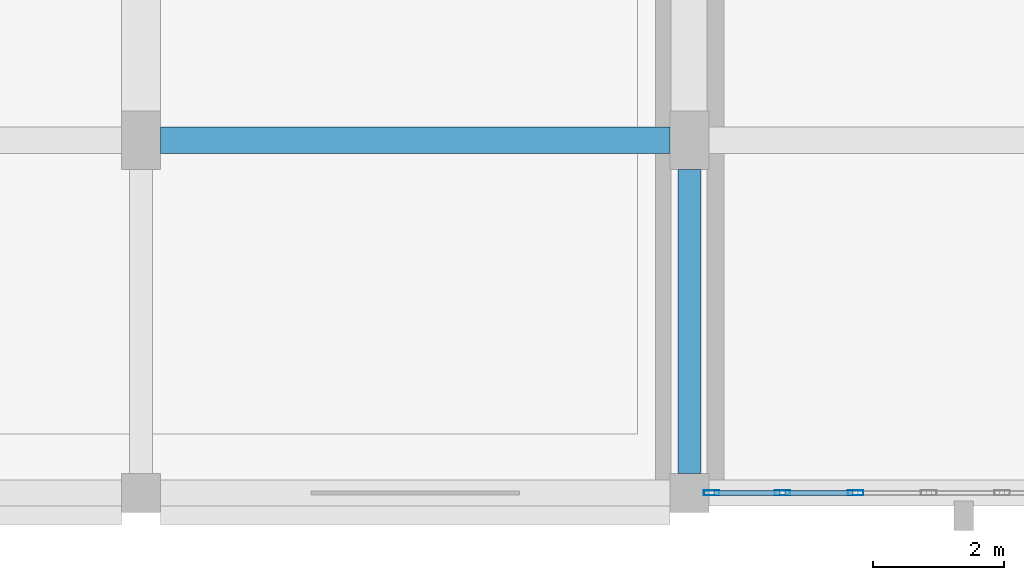
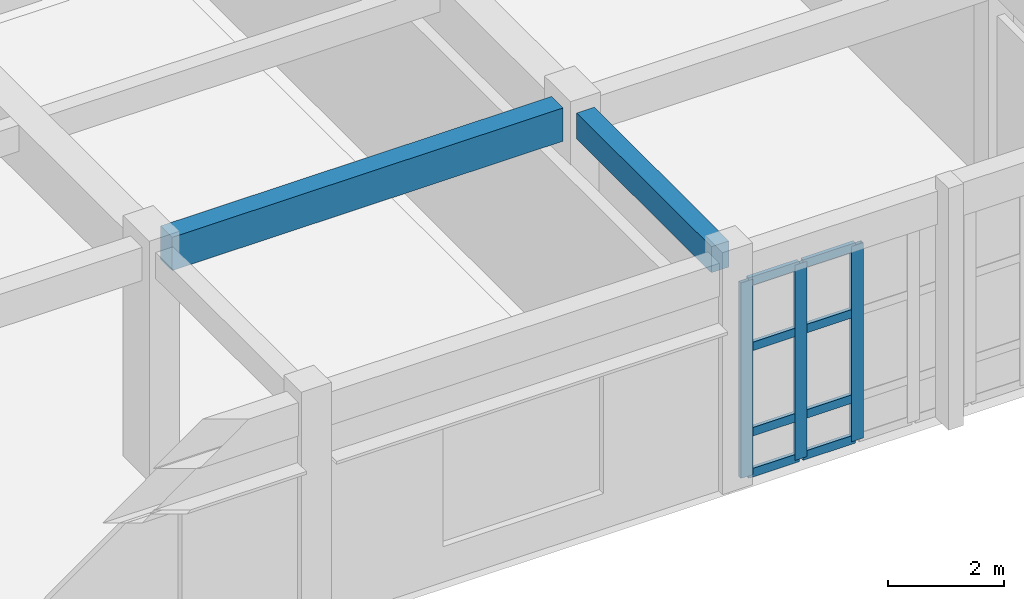
# One storey, part 25 of 93: 11 members, 2 beams, 1 element without a shape of its own.
"""IFC4 building model written with IfcOpenShell, lengths in metres."""

import ifcopenshell
import ifcopenshell.guid

model = None  # the IFC model being written
_history = None  # IfcOwnerHistory: only IFC2X3 demands one
_inside = {}  # id of a spatial element -> (the spatial element, [elements in it])
_under = {}  # id of a project, library or spatial element -> (it, [spatial elements below it])
_declared = {}  # id of a project -> (the project, [libraries it declares])
_typed = {}  # id of a type object -> (the type object, [elements of that type])
_made_of = {}  # id of a material, layer set ... -> (it, [elements and type objects made of it])


def new_model(schema):
    """Start an empty IFC model of exactly this schema.

    Asked for "IFC4X3", IfcOpenShell would pick the latest addendum, in which some entities
    have other attributes; the version numbers below select the first issue.
    IFC2X3 requires an IfcOwnerHistory on every rooted entity: one is made here for all.
    """
    global model, _history
    if schema == "IFC4X3":
        model = ifcopenshell.file(schema_version=(4, 3, 0, 0))
    else:
        model = ifcopenshell.file(schema=schema)
    _inside.clear()
    _under.clear()
    _declared.clear()
    _typed.clear()
    _made_of.clear()
    _history = None
    if model.schema == "IFC2X3":
        org = make("IfcOrganization", Name="unknown")
        user = make(
            "IfcPersonAndOrganization",
            ThePerson=make("IfcPerson", FamilyName="unknown"),
            TheOrganization=org,
        )
        app = make(
            "IfcApplication",
            ApplicationDeveloper=org,
            Version="unknown",
            ApplicationFullName="unknown",
            ApplicationIdentifier="unknown",
        )
        _history = make(
            "IfcOwnerHistory",
            OwningUser=user,
            OwningApplication=app,
            ChangeAction="ADDED",
            CreationDate=0,
        )
    return model


def make(cls, **values):
    """One entity of the class cls with the attributes given. An attribute that is None is left unset."""
    return model.create_entity(
        cls, **{name: value for name, value in values.items() if value is not None}
    )


def rooted(cls, **values):
    """An entity with a GlobalId (a new one), such as an element, a storey or a relation."""
    return make(cls, GlobalId=ifcopenshell.guid.new(), OwnerHistory=_history, **values)


def si_unit(unit_type, name, prefix=None):
    """IfcSIUnit, for example si_unit("LENGTHUNIT", "METRE", prefix="MILLI")."""
    return make("IfcSIUnit", UnitType=unit_type, Prefix=prefix, Name=name)


def assignment(units):
    """IfcUnitAssignment: the units of a project."""
    return None if units is None else make("IfcUnitAssignment", Units=units)


def point(xyz):
    """IfcCartesianPoint."""
    return None if xyz is None else make("IfcCartesianPoint", Coordinates=xyz)


def direction(xyz):
    """IfcDirection."""
    return None if xyz is None else make("IfcDirection", DirectionRatios=xyz)


def frame(location, z_axis=None, x_axis=None):
    """IfcAxis2Placement3D, a coordinate frame: its origin and axes. An axis left out is left unset."""
    return make(
        "IfcAxis2Placement3D",
        Location=point(location),
        Axis=direction(z_axis),
        RefDirection=direction(x_axis),
    )


def frame_2d(location, x_axis=None):
    """IfcAxis2Placement2D, a coordinate frame in the plane: its origin and x axis."""
    return make(
        "IfcAxis2Placement2D", Location=point(location), RefDirection=direction(x_axis)
    )


def origin():
    """The frame at (0, 0, 0) with its axes left unset."""
    return frame((0.0, 0.0, 0.0))


def origin_2d():
    """The frame at (0, 0) in the plane with its x axis left unset."""
    return frame_2d((0.0, 0.0))


def place(relative_to, where):
    """IfcLocalPlacement: puts the frame where relative to a parent placement (None: the world)."""
    return make(
        "IfcLocalPlacement", PlacementRelTo=relative_to, RelativePlacement=where
    )


def context(
    kind, dimensions, precision=None, world=None, true_north=None, identifier=None
):
    """IfcGeometricRepresentationContext, for example the 3D "Model" context."""
    return make(
        "IfcGeometricRepresentationContext",
        ContextIdentifier=identifier,
        ContextType=kind,
        CoordinateSpaceDimension=dimensions,
        Precision=precision,
        WorldCoordinateSystem=world,
        TrueNorth=true_north,
    )


def subcontext(parent, identifier, kind, view, scale=None):
    """IfcGeometricRepresentationSubContext, for example "Body" below "Model"."""
    return make(
        "IfcGeometricRepresentationSubContext",
        ContextIdentifier=identifier,
        ContextType=kind,
        ParentContext=parent,
        TargetScale=scale,
        TargetView=view,
    )


def project(units=None, contexts=None):
    """IfcProject with its units and contexts."""
    return rooted(
        "IfcProject",
        Name="project",
        RepresentationContexts=contexts,
        UnitsInContext=assignment(units),
    )


def spatial(cls, under=None, at=None, **own):
    """A site, building, storey or space (cls), placed at a placement, below another one or the project."""
    s = rooted(cls, ObjectPlacement=at, **own)
    if under is not None:
        _under.setdefault(under.id(), (under, []))[1].append(s)
    return s


def profile(cls, at=None, kind="AREA", **sizes):
    """A parametric profile (cls). Its sizes go by their IFC names, for example OverallWidth=200.0."""
    return make(cls, ProfileType=kind, Position=at, **sizes)


def rectangle(**sizes):
    """IfcRectangleProfileDef."""
    return profile("IfcRectangleProfileDef", **sizes)


def hollow_rectangle(**sizes):
    """IfcRectangleHollowProfileDef."""
    return profile("IfcRectangleHollowProfileDef", **sizes)


def extrude(swept, where, along, depth):
    """IfcExtrudedAreaSolid: the profile swept, set in the frame where, extruded along a direction by depth."""
    return make(
        "IfcExtrudedAreaSolid",
        SweptArea=swept,
        Position=where,
        ExtrudedDirection=direction(along),
        Depth=depth,
    )


def shape(context_of_items, identifier, shape_type, items):
    """IfcShapeRepresentation: the items that make up one representation, for example the "Body"."""
    return make(
        "IfcShapeRepresentation",
        ContextOfItems=context_of_items,
        RepresentationIdentifier=identifier,
        RepresentationType=shape_type,
        Items=items,
    )


def material(Name=None, Category=None):
    """IfcMaterial."""
    return make("IfcMaterial", Name=Name, Category=Category)


def layer(
    of_material, thickness, ventilated=None, Name=None, Category=None, Priority=None
):
    """IfcMaterialLayer: one layer of a wall or slab, of a material (None: an air gap)."""
    return make(
        "IfcMaterialLayer",
        Material=of_material,
        LayerThickness=thickness,
        IsVentilated=ventilated,
        Name=Name,
        Category=Category,
        Priority=Priority,
    )


def layer_set(layers, Name=None):
    """IfcMaterialLayerSet."""
    return make("IfcMaterialLayerSet", MaterialLayers=layers, LayerSetName=Name)


def material_profile(
    of_material, cross_section, Name=None, Category=None, Priority=None
):
    """IfcMaterialProfile: a cross section and its material."""
    return make(
        "IfcMaterialProfile",
        Name=Name,
        Material=of_material,
        Profile=cross_section,
        Priority=Priority,
        Category=Category,
    )


def profile_set(profiles, Name=None, composite=None):
    """IfcMaterialProfileSet."""
    return make(
        "IfcMaterialProfileSet",
        Name=Name,
        MaterialProfiles=profiles,
        CompositeProfile=composite,
    )


def made_of(thing, what):
    """Note that an element or type object is made of a material, layer set ...; save() writes the relation."""
    if what is not None:
        _made_of.setdefault(what.id(), (what, []))[1].append(thing)
    return thing


def type_object(cls, material=None, **own):
    """A type object (cls), such as IfcWallType, which elements share."""
    return made_of(rooted(cls, **own), material)


def element(
    cls,
    number,
    at=None,
    inside=None,
    cuts=None,
    type_object=None,
    material=None,
    context=None,
    identifier="Body",
    shape_type=None,
    held_by="IfcProductDefinitionShape",
    body=None,
    shapes=None,
    **own,
):
    """One element of the class cls, such as IfcWall. Its Tag is "e" and its number.

    at: its placement. inside: the storey or other place that contains it. cuts: it is an
    opening in that element (IfcRelVoidsElement). A single representation is given by context,
    identifier, shape_type and body (its items); several are given by shapes. held_by: the class
    of the entity that holds the representations. save() writes the other relations.
    """
    e = rooted(cls, Tag="e%d" % number, ObjectPlacement=at, **own)
    if body is not None:
        shapes = [shape(context, identifier, shape_type, body)]
    if shapes is not None:
        e.Representation = make(held_by, Representations=shapes)
    if inside is not None:
        _inside.setdefault(inside.id(), (inside, []))[1].append(e)
    if cuts is not None:
        rooted(
            "IfcRelVoidsElement", RelatingBuildingElement=cuts, RelatedOpeningElement=e
        )
    if type_object is not None:
        _typed.setdefault(type_object.id(), (type_object, []))[1].append(e)
    return made_of(e, material)


def aggregate(whole, parts):
    """IfcRelAggregates: a whole, such as a stair, and the parts it consists of."""
    return rooted("IfcRelAggregates", RelatingObject=whole, RelatedObjects=parts)


def save(model, path):
    """Write the relations noted so far, then the file.

    IfcRelAggregates (storeys below a building ...), IfcRelContainedInSpatialStructure (elements
    in a storey), IfcRelDefinesByType, IfcRelAssociatesMaterial and IfcRelDeclares: one each for
    every whole, place, type object, material and project.
    """
    for whole, parts in _under.values():
        aggregate(whole, parts)
    for where, things in _inside.values():
        rooted(
            "IfcRelContainedInSpatialStructure",
            RelatedElements=things,
            RelatingStructure=where,
        )
    for kind, things in _typed.values():
        rooted("IfcRelDefinesByType", RelatedObjects=things, RelatingType=kind)
    for what, things in _made_of.values():
        rooted("IfcRelAssociatesMaterial", RelatedObjects=things, RelatingMaterial=what)
    for by, libraries in _declared.values():
        rooted("IfcRelDeclares", RelatingContext=by, RelatedDefinitions=libraries)
    model.write(path)


model = new_model("IFC4")

# Units and contexts
model_context = context("Model", 3, precision=1e-05, world=origin(), true_north=direction((0.0, 1.0)))
body_context = subcontext(model_context, "Body", "Model", "MODEL_VIEW")
ifc_project = project(units=[si_unit("LENGTHUNIT", "METRE"), si_unit("AREAUNIT", "SQUARE_METRE"), si_unit("VOLUMEUNIT", "CUBIC_METRE"), si_unit("PLANEANGLEUNIT", "RADIAN"), si_unit("MASSUNIT", "GRAM", prefix="KILO")], contexts=[model_context])

# Site, building, storey
site_placement = place(None, origin())
site = spatial("IfcSite", under=ifc_project, at=site_placement, CompositionType="ELEMENT")
building_placement = place(site_placement, origin())
building = spatial("IfcBuilding", under=site, at=building_placement, Name="Krzemoval Escarpment Law Courts", CompositionType="ELEMENT")
storey_placement = place(building_placement, frame((0.0, 0.0, 10.199951171875)))
storey = spatial("IfcBuildingStorey", under=building, at=storey_placement, Name="L02", CompositionType="ELEMENT", Elevation=10.199951171875)

# Beams
ifc_material_1 = material(Name="Concrete C40/50", Category="concrete")
ifc_material_profile_1 = material_profile(ifc_material_1, rectangle(XDim=0.35009765625, YDim=0.550048828125, at=origin_2d()), Name="RCB 350x550")
ifc_profile_set_1 = profile_set([ifc_material_profile_1], Name="Concrete C40/50")
beam_type_1 = type_object("IfcBeamType", Name="BM-RC-350x550", PredefinedType="BEAM", material=ifc_profile_set_1)
beam_1_placement = place(storey_placement, frame((109.199951171875, 0.300048828125, 4.545166015625), z_axis=(0.0, 1.0, 0.0), x_axis=(-1.0, 0.0, 0.0)))
element("IfcBeam", 1, at=beam_1_placement, inside=storey, type_object=beam_type_1, Name="Beam FG-L02-1948", PredefinedType="BEAM", context=body_context, shape_type="SweptSolid", body=[
    extrude(rectangle(XDim=0.35009765625, YDim=0.550048828125, at=origin_2d()), origin(), (0.0, 0.0, 1.0), 4.64990234375),
])
ifc_material_2 = material(Name="Concrete C40/50", Category="concrete")
ifc_material_profile_2 = material_profile(ifc_material_2, rectangle(XDim=0.39990234375, YDim=0.699951171875, at=origin_2d()), Name="RCB 400x700")
ifc_profile_set_2 = profile_set([ifc_material_profile_2], Name="Concrete C40/50")
beam_type_2 = type_object("IfcBeamType", Name="BM-RC-400x700", PredefinedType="BEAM", material=ifc_profile_set_2)
beam_2_placement = place(storey_placement, frame((101.10009765625, 5.39990234375, 4.469970703125), z_axis=(1.0, 0.0, 0.0), x_axis=(0.0, 1.0, 0.0)))
element("IfcBeam", 2, at=beam_2_placement, inside=storey, type_object=beam_type_2, Name="Beam FG-L02-1732", PredefinedType="BEAM", context=body_context, shape_type="SweptSolid", body=[
    extrude(rectangle(XDim=0.39990234375, YDim=0.699951171875, at=origin_2d()), origin(), (0.0, 0.0, 1.0), 7.7998046875),
])

# Curtain wall, members
ifc_material_3 = material(Name="Aluminium 6063-T6", Category="aluminium")
ifc_layer = layer(ifc_material_3, 0.239990234375)
ifc_layer_set = layer_set([ifc_layer], Name="Aluminium 6063-T6")
curtain_wall_type = type_object("IfcCurtainWallType", Name="CW-LIBR-4800", PredefinedType="USERDEFINED", material=ifc_layer_set)
curtain_wall_placement = place(storey_placement, origin())
curtain_wall = element("IfcCurtainWall", 3, at=curtain_wall_placement, inside=storey, type_object=curtain_wall_type, Name="Unitised Curtain Wall FCW-L02-085", ObjectType="UNITISED_CURTAIN_WALL", PredefinedType="USERDEFINED")
ifc_material_4 = material(Name="Aluminium 6063-T6", Category="aluminium")
ifc_material_profile_3 = material_profile(ifc_material_4, hollow_rectangle(XDim=0.074951171875, YDim=0.239990234375, WallThickness=0.0048828125, at=origin_2d()), Name="ALU M75x240")
ifc_profile_set_3 = profile_set([ifc_material_profile_3], Name="Aluminium 6063-T6")
member_type_1 = type_object("IfcMemberType", Name="CWM-75x240", PredefinedType="MULLION", material=ifc_profile_set_3)
member_1_placement = place(storey_placement, frame((111.742919921875, 0.0, 0.0), z_axis=(0.0, 0.0, 1.0), x_axis=(0.0, -1.0, 0.0)))
member_1 = element("IfcMember", 4, at=member_1_placement, type_object=member_type_1, Name="FCW-L02-085 mullion 6", PredefinedType="MULLION", context=body_context, shape_type="SweptSolid", body=[
    extrude(hollow_rectangle(XDim=0.074951171875, YDim=0.239990234375, WallThickness=0.0048828125, at=origin_2d()), origin(), (0.0, 0.0, 1.0), 4.1201171875),
])
member_2_placement = place(storey_placement, frame((110.621337890625, 0.0, 0.0), z_axis=(0.0, 0.0, 1.0), x_axis=(0.0, -1.0, 0.0)))
member_2 = element("IfcMember", 5, at=member_2_placement, type_object=member_type_1, Name="FCW-L02-085 mullion 7", PredefinedType="MULLION", context=body_context, shape_type="SweptSolid", body=[
    extrude(hollow_rectangle(XDim=0.074951171875, YDim=0.239990234375, WallThickness=0.0048828125, at=origin_2d()), origin(), (0.0, 0.0, 1.0), 4.1201171875),
])
member_3_placement = place(storey_placement, frame((109.53759765625, 0.0, 0.0), z_axis=(0.0, 0.0, 1.0), x_axis=(0.0, -1.0, 0.0)))
member_3 = element("IfcMember", 6, at=member_3_placement, type_object=member_type_1, Name="FCW-L02-085 mullion 8", PredefinedType="MULLION", context=body_context, shape_type="SweptSolid", body=[
    extrude(hollow_rectangle(XDim=0.074951171875, YDim=0.239990234375, WallThickness=0.0048828125, at=origin_2d()), origin(), (0.0, 0.0, 1.0), 4.1201171875),
])
ifc_material_5 = material(Name="Aluminium 6063-T6", Category="aluminium")
ifc_material_profile_4 = material_profile(ifc_material_5, hollow_rectangle(XDim=0.074951171875, YDim=0.179931640625, WallThickness=0.0048828125, at=origin_2d()), Name="ALU T75x180")
ifc_profile_set_4 = profile_set([ifc_material_profile_4], Name="Aluminium 6063-T6")
member_type_2 = type_object("IfcMemberType", Name="CWT-75x180", PredefinedType="USERDEFINED", material=ifc_profile_set_4)
member_4_placement = place(storey_placement, frame((111.705322265625, 0.0, 0.03759765625), z_axis=(-1.0, 0.0, 0.0), x_axis=(0.0, -1.0, 0.0)))
member_4 = element("IfcMember", 7, at=member_4_placement, type_object=member_type_2, Name="FCW-L02-085 transom 6.1", ObjectType="TRANSOM", PredefinedType="USERDEFINED", context=body_context, shape_type="SweptSolid", body=[
    extrude(hollow_rectangle(XDim=0.074951171875, YDim=0.179931640625, WallThickness=0.0048828125, at=origin_2d()), origin(), (0.0, 0.0, 1.0), 1.04638671875),
])
member_5_placement = place(storey_placement, frame((111.705322265625, 0.0, 0.900146484375), z_axis=(-1.0, 0.0, 0.0), x_axis=(0.0, -1.0, 0.0)))
member_5 = element("IfcMember", 8, at=member_5_placement, type_object=member_type_2, Name="FCW-L02-085 transom 6.2", ObjectType="TRANSOM", PredefinedType="USERDEFINED", context=body_context, shape_type="SweptSolid", body=[
    extrude(hollow_rectangle(XDim=0.074951171875, YDim=0.179931640625, WallThickness=0.0048828125, at=origin_2d()), origin(), (0.0, 0.0, 1.0), 1.04638671875),
])
member_6_placement = place(storey_placement, frame((111.705322265625, 0.0, 2.699951171875), z_axis=(-1.0, 0.0, 0.0), x_axis=(0.0, -1.0, 0.0)))
member_6 = element("IfcMember", 9, at=member_6_placement, type_object=member_type_2, Name="FCW-L02-085 transom 6.3", ObjectType="TRANSOM", PredefinedType="USERDEFINED", context=body_context, shape_type="SweptSolid", body=[
    extrude(hollow_rectangle(XDim=0.074951171875, YDim=0.179931640625, WallThickness=0.0048828125, at=origin_2d()), origin(), (0.0, 0.0, 1.0), 1.04638671875),
])
member_7_placement = place(storey_placement, frame((111.705322265625, 0.0, 4.08251953125), z_axis=(-1.0, 0.0, 0.0), x_axis=(0.0, -1.0, 0.0)))
member_7 = element("IfcMember", 10, at=member_7_placement, type_object=member_type_2, Name="FCW-L02-085 transom 6.4", ObjectType="TRANSOM", PredefinedType="USERDEFINED", context=body_context, shape_type="SweptSolid", body=[
    extrude(hollow_rectangle(XDim=0.074951171875, YDim=0.179931640625, WallThickness=0.0048828125, at=origin_2d()), origin(), (0.0, 0.0, 1.0), 1.04638671875),
])
member_8_placement = place(storey_placement, frame((110.583984375, 0.0, 0.03759765625), z_axis=(-1.0, 0.0, 0.0), x_axis=(0.0, -1.0, 0.0)))
member_8 = element("IfcMember", 11, at=member_8_placement, type_object=member_type_2, Name="FCW-L02-085 transom 7.1", ObjectType="TRANSOM", PredefinedType="USERDEFINED", context=body_context, shape_type="SweptSolid", body=[
    extrude(hollow_rectangle(XDim=0.074951171875, YDim=0.179931640625, WallThickness=0.0048828125, at=origin_2d()), origin(), (0.0, 0.0, 1.0), 1.009033203125),
])
member_9_placement = place(storey_placement, frame((110.583984375, 0.0, 0.900146484375), z_axis=(-1.0, 0.0, 0.0), x_axis=(0.0, -1.0, 0.0)))
member_9 = element("IfcMember", 12, at=member_9_placement, type_object=member_type_2, Name="FCW-L02-085 transom 7.2", ObjectType="TRANSOM", PredefinedType="USERDEFINED", context=body_context, shape_type="SweptSolid", body=[
    extrude(hollow_rectangle(XDim=0.074951171875, YDim=0.179931640625, WallThickness=0.0048828125, at=origin_2d()), origin(), (0.0, 0.0, 1.0), 1.009033203125),
])
member_10_placement = place(storey_placement, frame((110.583984375, 0.0, 2.699951171875), z_axis=(-1.0, 0.0, 0.0), x_axis=(0.0, -1.0, 0.0)))
member_10 = element("IfcMember", 13, at=member_10_placement, type_object=member_type_2, Name="FCW-L02-085 transom 7.3", ObjectType="TRANSOM", PredefinedType="USERDEFINED", context=body_context, shape_type="SweptSolid", body=[
    extrude(hollow_rectangle(XDim=0.074951171875, YDim=0.179931640625, WallThickness=0.0048828125, at=origin_2d()), origin(), (0.0, 0.0, 1.0), 1.009033203125),
])
member_11_placement = place(storey_placement, frame((110.583984375, 0.0, 4.08251953125), z_axis=(-1.0, 0.0, 0.0), x_axis=(0.0, -1.0, 0.0)))
member_11 = element("IfcMember", 14, at=member_11_placement, type_object=member_type_2, Name="FCW-L02-085 transom 7.4", ObjectType="TRANSOM", PredefinedType="USERDEFINED", context=body_context, shape_type="SweptSolid", body=[
    extrude(hollow_rectangle(XDim=0.074951171875, YDim=0.179931640625, WallThickness=0.0048828125, at=origin_2d()), origin(), (0.0, 0.0, 1.0), 1.009033203125),
])
aggregate(curtain_wall, [member_1, member_2, member_3, member_4, member_5, member_6, member_7, member_8, member_9, member_10, member_11])

save(model, "model.ifc")
